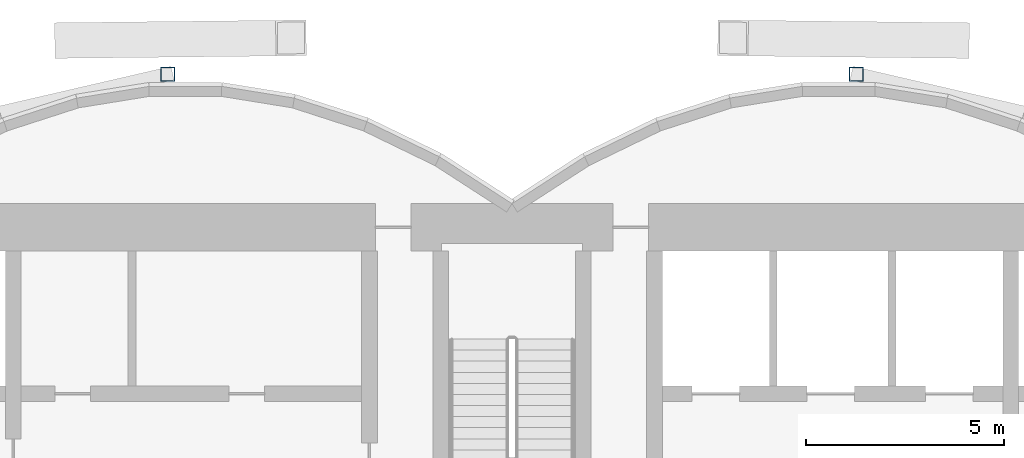
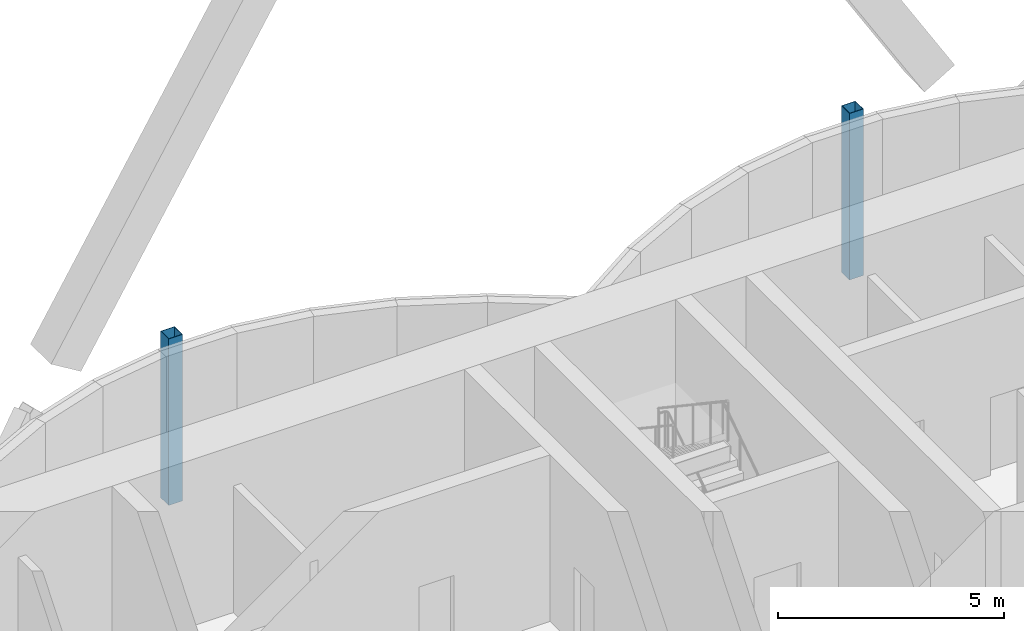
# One storey, part 3 of 19: 2 columns.
"""IFC4 building model written with IfcOpenShell, lengths in metres."""

from ifc_helpers import new_model, si_unit, direction, frame, origin, origin_2d, place, context, subcontext, project, spatial, hollow_rectangle, extrude, material, material_profile, profile_set, type_object, element, save


model = new_model("IFC4")

# Units and contexts
model_context = context("Model", 3, precision=1e-05, world=origin(), true_north=direction((0.0, 1.0)))
body_context = subcontext(model_context, "Body", "Model", "MODEL_VIEW")
ifc_project = project(units=[si_unit("LENGTHUNIT", "METRE"), si_unit("AREAUNIT", "SQUARE_METRE"), si_unit("VOLUMEUNIT", "CUBIC_METRE"), si_unit("PLANEANGLEUNIT", "RADIAN"), si_unit("MASSUNIT", "GRAM", prefix="KILO")], contexts=[model_context])

# Site, building, storey
site_placement = place(None, origin())
site = spatial("IfcSite", under=ifc_project, at=site_placement, CompositionType="ELEMENT")
building_placement = place(site_placement, origin())
building = spatial("IfcBuilding", under=site, at=building_placement, Name="Bicima Exchange Tower", CompositionType="ELEMENT")
storey_placement = place(building_placement, frame((0.0, 0.0, 324.5)))
storey = spatial("IfcBuildingStorey", under=building, at=storey_placement, Name="L73", CompositionType="ELEMENT", Elevation=324.5)

# Columns
ifc_material = material(Name="Steel ASTM A572 Gr 50", Category="steel")
ifc_material_profile = material_profile(ifc_material, hollow_rectangle(XDim=0.355712890625, YDim=0.355712890625, WallThickness=0.01171875, at=origin_2d()))
ifc_profile_set = profile_set([ifc_material_profile], Name="Steel ASTM A572 Gr 50")
column_type = type_object("IfcColumnType", Name="Rear pilaster HSS14x14x1/2", PredefinedType="COLUMN", material=ifc_profile_set)
for number, where, z_axis, x_axis, name in (
    (1, (-8.699951171875, 3.26904296875, 0.0), (0.0, 0.0, 1.0), (1.0, 0.0, 0.0), "Rear pilaster rexo-8.7r"),
    (2, (8.699951171875, 3.26904296875, 0.0), (0.0, 0.0, 1.0), (1.0, 0.0, 0.0), "Rear pilaster rexo+8.7r"),
):
    element("IfcColumn", number, at=place(storey_placement, frame(where, z_axis=z_axis, x_axis=x_axis)), inside=storey, type_object=column_type, Name=name, PredefinedType="COLUMN", context=body_context, shape_type="SweptSolid", body=[
        extrude(hollow_rectangle(XDim=0.355712890625, YDim=0.355712890625, WallThickness=0.01171875, at=origin_2d()), origin(), (0.0, 0.0, 1.0), 4.5),
    ])

save(model, "model.ifc")
